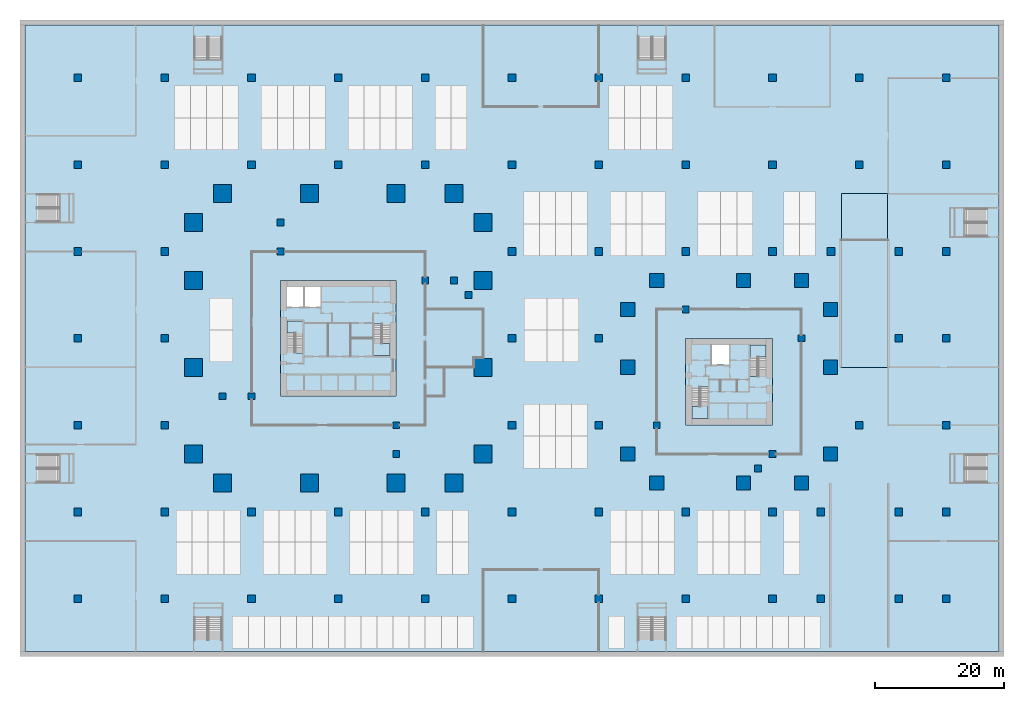
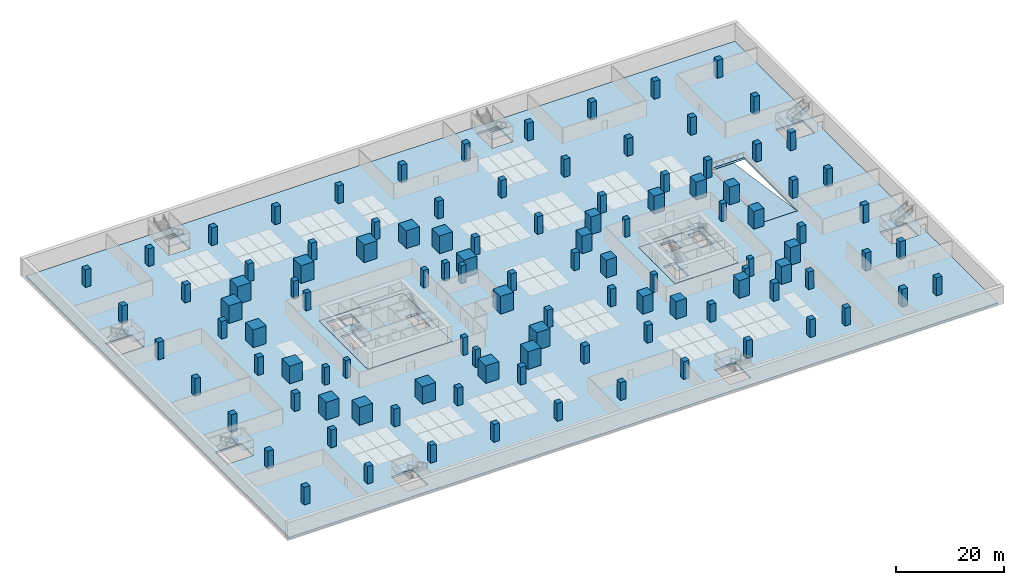
# One storey, part 1 of 31: 109 columns, 16 slabs, 12 elements without a shape of their own.
"""IFC4 building model written with IfcOpenShell, lengths in metres."""

from ifc_helpers import new_model, si_unit, direction, frame, origin, origin_2d, place, context, subcontext, project, spatial, polyline, rectangle, outline, extrude, material, layer, layer_set, material_profile, profile_set, type_object, element, aggregate, save


model = new_model("IFC4")

# Units and contexts
model_context = context("Model", 3, precision=1e-05, world=origin(), true_north=direction((0.0, 1.0)))
body_context = subcontext(model_context, "Body", "Model", "MODEL_VIEW")
ifc_project = project(units=[si_unit("LENGTHUNIT", "METRE"), si_unit("AREAUNIT", "SQUARE_METRE"), si_unit("VOLUMEUNIT", "CUBIC_METRE"), si_unit("PLANEANGLEUNIT", "RADIAN"), si_unit("MASSUNIT", "GRAM", prefix="KILO")], contexts=[model_context])

# Site, building, storey
site_placement = place(None, origin())
site = spatial("IfcSite", under=ifc_project, at=site_placement, CompositionType="ELEMENT")
building_placement = place(site_placement, origin())
building = spatial("IfcBuilding", under=site, at=building_placement, Name="Altepetl Exchange Towers", CompositionType="ELEMENT")
storey_placement = place(building_placement, frame((0.0, 0.0, -4.0)))
storey = spatial("IfcBuildingStorey", under=building, at=storey_placement, Name="B1 Basement services", CompositionType="ELEMENT", Elevation=-4.0)

# Columns
ifc_material_1 = material(Name="Concrete C70/85", Category="concrete")
ifc_material_profile_1 = material_profile(ifc_material_1, rectangle(XDim=1.050048828125, YDim=1.050048828125, at=origin_2d()), Name="1050 x 1050")
ifc_profile_set_1 = profile_set([ifc_material_profile_1], Name="Concrete C70/85")
column_type_1 = type_object("IfcColumnType", Name="Interior column 1050", PredefinedType="COLUMN", material=ifc_profile_set_1)
for number, where, name in (
    (1, (31.5, 40.5, 0.0), "col:A:B1:040"),
    (2, (36.0, 40.5, 0.0), "col:A:B1:041"),
    (3, (40.5, 63.0, 0.0), "col:A:B1:042"),
    (4, (40.5, 67.5, 0.0), "col:A:B1:043"),
    (5, (58.5, 31.5, 0.0), "col:A:B1:044"),
    (6, (58.5, 36.0, 0.0), "col:A:B1:045"),
    (7, (63.0, 58.5, 0.0), "col:A:B1:046"),
    (8, (67.5, 58.5, 0.0), "col:A:B1:047"),
    (9, (69.75, 56.25, 0.0), "col:A:B1:048"),
    (10, (99.0, 36.0, 0.0), "col:B:B1:028"),
    (11, (103.5, 54.0, 0.0), "col:B:B1:029"),
    (12, (114.75, 29.25, 0.0), "col:B:B1:030"),
    (13, (117.0, 31.5, 0.0), "col:B:B1:031"),
    (14, (121.5, 49.5, 0.0), "col:B:B1:032"),
):
    element("IfcColumn", number, at=place(storey_placement, frame(where)), inside=storey, type_object=column_type_1, Name=name, PredefinedType="COLUMN", context=body_context, shape_type="SweptSolid", body=[
        extrude(rectangle(XDim=1.050048828125, YDim=1.050048828125, at=origin_2d()), origin(), (0.0, 0.0, 1.0), 4.0),
    ])
ifc_material_profile_2 = material_profile(ifc_material_1, rectangle(XDim=2.199951171875, YDim=2.199951171875, at=origin_2d()), Name="2200 x 2200")
ifc_profile_set_2 = profile_set([ifc_material_profile_2], Name="Concrete C70/85")
column_type_2 = type_object("IfcColumnType", Name="Mega-column 2200", PredefinedType="COLUMN", material=ifc_profile_set_2)
for number, where, name in (
    (15, (94.5, 31.5, 0.0), "col:B:B1:m00"),
    (16, (94.5, 45.0, 0.0), "col:B:B1:m01"),
    (17, (94.5, 54.0, 0.0), "col:B:B1:m02"),
    (18, (99.0, 27.0, 0.0), "col:B:B1:m03"),
    (19, (99.0, 58.5, 0.0), "col:B:B1:m04"),
    (20, (112.5, 27.0, 0.0), "col:B:B1:m05"),
    (21, (112.5, 58.5, 0.0), "col:B:B1:m06"),
    (22, (121.5, 27.0, 0.0), "col:B:B1:m07"),
    (23, (121.5, 58.5, 0.0), "col:B:B1:m08"),
    (24, (126.0, 31.5, 0.0), "col:B:B1:m09"),
    (25, (126.0, 45.0, 0.0), "col:B:B1:m10"),
    (26, (126.0, 54.0, 0.0), "col:B:B1:m11"),
):
    element("IfcColumn", number, at=place(storey_placement, frame(where)), inside=storey, type_object=column_type_2, Name=name, PredefinedType="COLUMN", context=body_context, shape_type="SweptSolid", body=[
        extrude(rectangle(XDim=2.199951171875, YDim=2.199951171875, at=origin_2d()), origin(), (0.0, 0.0, 1.0), 4.0),
    ])
ifc_material_profile_3 = material_profile(ifc_material_1, rectangle(XDim=2.800048828125, YDim=2.800048828125, at=origin_2d()), Name="2800 x 2800")
ifc_profile_set_3 = profile_set([ifc_material_profile_3], Name="Concrete C70/85")
column_type_3 = type_object("IfcColumnType", Name="Mega-column 2800", PredefinedType="COLUMN", material=ifc_profile_set_3)
for number, where, name in (
    (27, (27.0, 31.5, 0.0), "col:A:B1:m00"),
    (28, (27.0, 45.0, 0.0), "col:A:B1:m01"),
    (29, (27.0, 58.5, 0.0), "col:A:B1:m02"),
    (30, (27.0, 67.5, 0.0), "col:A:B1:m03"),
    (31, (31.5, 27.0, 0.0), "col:A:B1:m04"),
    (32, (31.5, 72.0, 0.0), "col:A:B1:m05"),
    (33, (45.0, 27.0, 0.0), "col:A:B1:m06"),
    (34, (45.0, 72.0, 0.0), "col:A:B1:m07"),
    (35, (58.5, 27.0, 0.0), "col:A:B1:m08"),
    (36, (58.5, 72.0, 0.0), "col:A:B1:m09"),
    (37, (67.5, 27.0, 0.0), "col:A:B1:m10"),
    (38, (67.5, 72.0, 0.0), "col:A:B1:m11"),
    (39, (72.0, 31.5, 0.0), "col:A:B1:m12"),
    (40, (72.0, 45.0, 0.0), "col:A:B1:m13"),
    (41, (72.0, 58.5, 0.0), "col:A:B1:m14"),
    (42, (72.0, 67.5, 0.0), "col:A:B1:m15"),
):
    element("IfcColumn", number, at=place(storey_placement, frame(where)), inside=storey, type_object=column_type_3, Name=name, PredefinedType="COLUMN", context=body_context, shape_type="SweptSolid", body=[
        extrude(rectangle(XDim=2.800048828125, YDim=2.800048828125, at=origin_2d()), origin(), (0.0, 0.0, 1.0), 4.0),
    ])
ifc_material_profile_4 = material_profile(ifc_material_1, rectangle(XDim=1.199951171875, YDim=1.199951171875, at=origin_2d()), Name="1200 x 1200")
ifc_profile_set_4 = profile_set([ifc_material_profile_4], Name="Concrete C70/85")
column_type_4 = type_object("IfcColumnType", Name="Podium column 1200", PredefinedType="COLUMN", material=ifc_profile_set_4)
for number, where, name in (
    (43, (9.0, 9.0, 0.0), "col:P:B1:000"),
    (44, (9.0, 22.5, 0.0), "col:P:B1:001"),
    (45, (9.0, 36.0, 0.0), "col:P:B1:002"),
    (46, (9.0, 49.5, 0.0), "col:P:B1:003"),
    (47, (9.0, 63.0, 0.0), "col:P:B1:004"),
    (48, (9.0, 76.5, 0.0), "col:P:B1:005"),
    (49, (9.0, 90.0, 0.0), "col:P:B1:006"),
    (50, (22.5, 9.0, 0.0), "col:P:B1:007"),
    (51, (22.5, 22.5, 0.0), "col:P:B1:008"),
    (52, (22.5, 36.0, 0.0), "col:P:B1:009"),
    (53, (22.5, 49.5, 0.0), "col:P:B1:010"),
    (54, (22.5, 63.0, 0.0), "col:P:B1:011"),
    (55, (22.5, 76.5, 0.0), "col:P:B1:012"),
    (56, (22.5, 90.0, 0.0), "col:P:B1:013"),
    (57, (36.0, 9.0, 0.0), "col:P:B1:014"),
    (58, (36.0, 22.5, 0.0), "col:P:B1:015"),
    (59, (36.0, 76.5, 0.0), "col:P:B1:016"),
    (60, (36.0, 90.0, 0.0), "col:P:B1:017"),
    (61, (49.5, 9.0, 0.0), "col:P:B1:018"),
    (62, (49.5, 22.5, 0.0), "col:P:B1:019"),
    (63, (49.5, 76.5, 0.0), "col:P:B1:020"),
    (64, (49.5, 90.0, 0.0), "col:P:B1:021"),
    (65, (63.0, 9.0, 0.0), "col:P:B1:022"),
    (66, (63.0, 22.5, 0.0), "col:P:B1:023"),
    (67, (63.0, 76.5, 0.0), "col:P:B1:024"),
    (68, (63.0, 90.0, 0.0), "col:P:B1:025"),
    (69, (76.5, 9.0, 0.0), "col:P:B1:026"),
    (70, (76.5, 22.5, 0.0), "col:P:B1:027"),
    (71, (76.5, 36.0, 0.0), "col:P:B1:028"),
    (72, (76.5, 49.5, 0.0), "col:P:B1:029"),
    (73, (76.5, 63.0, 0.0), "col:P:B1:030"),
    (74, (76.5, 76.5, 0.0), "col:P:B1:031"),
    (75, (76.5, 90.0, 0.0), "col:P:B1:032"),
    (76, (90.0, 9.0, 0.0), "col:P:B1:033"),
    (77, (90.0, 22.5, 0.0), "col:P:B1:034"),
    (78, (90.0, 36.0, 0.0), "col:P:B1:035"),
    (79, (90.0, 49.5, 0.0), "col:P:B1:036"),
    (80, (90.0, 63.0, 0.0), "col:P:B1:037"),
    (81, (90.0, 76.5, 0.0), "col:P:B1:038"),
    (82, (90.0, 90.0, 0.0), "col:P:B1:039"),
    (83, (103.5, 9.0, 0.0), "col:P:B1:040"),
    (84, (103.5, 22.5, 0.0), "col:P:B1:041"),
    (85, (103.5, 63.0, 0.0), "col:P:B1:042"),
    (86, (103.5, 76.5, 0.0), "col:P:B1:043"),
    (87, (103.5, 90.0, 0.0), "col:P:B1:044"),
    (88, (117.0, 9.0, 0.0), "col:P:B1:045"),
    (89, (117.0, 22.5, 0.0), "col:P:B1:046"),
    (90, (117.0, 63.0, 0.0), "col:P:B1:047"),
    (91, (117.0, 76.5, 0.0), "col:P:B1:048"),
    (92, (117.0, 90.0, 0.0), "col:P:B1:049"),
    (93, (124.5, 9.0, 0.0), "col:P:B1:050"),
    (94, (124.5, 22.5, 0.0), "col:P:B1:051"),
    (95, (126.10009765625, 63.0, 0.0), "col:P:B1:052"),
    (96, (130.5, 36.0, 0.0), "col:P:B1:053"),
    (97, (130.5, 76.5, 0.0), "col:P:B1:054"),
    (98, (130.5, 90.0, 0.0), "col:P:B1:055"),
    (99, (136.64990234375, 9.0, 0.0), "col:P:B1:056"),
    (100, (136.64990234375, 22.5, 0.0), "col:P:B1:057"),
    (101, (136.64990234375, 49.5, 0.0), "col:P:B1:058"),
    (102, (136.64990234375, 63.0, 0.0), "col:P:B1:059"),
    (103, (144.0, 9.0, 0.0), "col:P:B1:060"),
    (104, (144.0, 22.5, 0.0), "col:P:B1:061"),
    (105, (144.0, 36.0, 0.0), "col:P:B1:062"),
    (106, (144.0, 49.5, 0.0), "col:P:B1:063"),
    (107, (144.0, 63.0, 0.0), "col:P:B1:064"),
    (108, (144.0, 76.5, 0.0), "col:P:B1:065"),
    (109, (144.0, 90.0, 0.0), "col:P:B1:066"),
):
    element("IfcColumn", number, at=place(storey_placement, frame(where)), inside=storey, type_object=column_type_4, Name=name, PredefinedType="COLUMN", context=body_context, shape_type="SweptSolid", body=[
        extrude(rectangle(XDim=1.199951171875, YDim=1.199951171875, at=origin_2d()), origin(), (0.0, 0.0, 1.0), 4.0),
    ])

# Slabs
ifc_material_2 = material(Name="Concrete C40/50", Category="concrete")
ifc_layer_1 = layer(ifc_material_2, 0.5)
ifc_layer_set_1 = layer_set([ifc_layer_1], Name="Concrete C40/50")
slab_type_1 = type_object("IfcSlabType", Name="Core floor slab 500", PredefinedType="FLOOR", material=ifc_layer_set_1)
slab_1_placement = place(storey_placement, frame((0.0, 0.0, -0.5)))
element("IfcSlab", 110, at=slab_1_placement, inside=storey, type_object=slab_type_1, Name="slab:A:B1:core0", PredefinedType="FLOOR", context=body_context, shape_type="SweptSolid", body=[
    extrude(outline(polyline([(40.5, 40.5), (58.5, 40.5), (58.5, 58.5), (40.5, 58.5), (40.5, 40.5)]), holes=[polyline([(55.0, 46.800048828125), (55.0, 51.7490234375), (56.300048828125, 51.7490234375), (56.300048828125, 51.64990234375), (57.5, 51.64990234375), (57.5, 46.800048828125), (55.0, 46.800048828125)]), polyline([(44.0, 52.199951171875), (44.0, 47.2509765625), (42.699951171875, 47.2509765625), (42.699951171875, 47.35009765625), (41.5, 47.35009765625), (41.5, 52.199951171875), (44.0, 52.199951171875)]), polyline([(41.5, 54.39990234375), (41.5, 57.5), (44.06689453125, 57.5), (44.06689453125, 54.39990234375), (41.5, 54.39990234375)]), polyline([(44.26708984375, 54.39990234375), (44.26708984375, 57.5), (46.73291015625, 57.5), (46.73291015625, 54.39990234375), (44.26708984375, 54.39990234375)])]), origin(), (0.0, 0.0, 1.0), 0.5),
])
slab_2_placement = place(storey_placement, frame((0.0, 0.0, -0.5)))
element("IfcSlab", 111, at=slab_2_placement, inside=storey, type_object=slab_type_1, Name="slab:B:B1:core0", PredefinedType="FLOOR", context=body_context, shape_type="SweptSolid", body=[
    extrude(outline(polyline([(103.5, 36.0), (117.0, 36.0), (117.0, 49.5), (103.5, 49.5), (103.5, 36.0)]), holes=[polyline([(107.0, 41.948974609375), (107.0, 37.0), (104.5, 37.0), (104.5, 41.85009765625), (105.699951171875, 41.85009765625), (105.699951171875, 41.948974609375), (107.0, 41.948974609375)]), polyline([(113.5, 48.5), (116.0, 48.5), (116.0, 43.64990234375), (114.800048828125, 43.64990234375), (114.800048828125, 43.551025390625), (113.5, 43.551025390625), (113.5, 48.5)]), polyline([(107.532958984375, 45.39990234375), (107.532958984375, 48.5), (110.26708984375, 48.5), (110.26708984375, 45.39990234375), (107.532958984375, 45.39990234375)])]), origin(), (0.0, 0.0, 1.0), 0.5),
])
ifc_layer_2 = layer(ifc_material_2, 0.449951171875)
ifc_layer_set_2 = layer_set([ifc_layer_2], Name="Concrete C40/50")
slab_type_2 = type_object("IfcSlabType", Name="Podium flat slab 450", PredefinedType="FLOOR", material=ifc_layer_set_2)
slab_3_placement = place(storey_placement, frame((0.0, 0.0, -0.449951171875)))
element("IfcSlab", 112, at=slab_3_placement, inside=storey, type_object=slab_type_2, Name="slab:P:B1:flat0", PredefinedType="FLOOR", context=body_context, shape_type="SweptSolid", body=[
    extrude(outline(polyline([(0.800048828125, 98.199951171875), (0.800048828125, 0.800048828125), (152.199951171875, 0.800048828125), (152.199951171875, 98.199951171875), (0.800048828125, 98.199951171875)]), holes=[polyline([(117.0, 49.5), (117.0, 36.0), (103.5, 36.0), (103.5, 49.5), (117.0, 49.5)]), polyline([(58.5, 58.5), (58.5, 40.5), (40.5, 40.5), (40.5, 58.5), (58.5, 58.5)]), polyline([(135.0, 64.800048828125), (135.0, 45.0), (127.60009765625, 45.0), (127.60009765625, 64.800048828125), (135.0, 64.800048828125)]), polyline([(31.5, 8.300048828125), (31.5, 2.699951171875), (27.0, 2.699951171875), (27.0, 8.300048828125), (31.5, 8.300048828125)]), polyline([(100.5, 2.699951171875), (96.0, 2.699951171875), (96.0, 8.300048828125), (100.5, 8.300048828125), (100.5, 2.699951171875)]), polyline([(2.699951171875, 31.5), (8.300048828125, 31.5), (8.300048828125, 27.0), (2.699951171875, 27.0), (2.699951171875, 31.5)]), polyline([(8.300048828125, 72.0), (8.300048828125, 67.5), (2.699951171875, 67.5), (2.699951171875, 72.0), (8.300048828125, 72.0)]), polyline([(27.0, 90.699951171875), (27.0, 96.300048828125), (31.5, 96.300048828125), (31.5, 90.699951171875), (27.0, 90.699951171875)]), polyline([(96.0, 96.300048828125), (100.5, 96.300048828125), (100.5, 90.699951171875), (96.0, 90.699951171875), (96.0, 96.300048828125)]), polyline([(150.300048828125, 27.0), (144.60009765625, 27.0), (144.60009765625, 31.5), (150.300048828125, 31.5), (150.300048828125, 27.0)]), polyline([(144.60009765625, 65.25), (144.60009765625, 69.75), (150.300048828125, 69.75), (150.300048828125, 65.25), (144.60009765625, 65.25)])]), origin(), (0.0, 0.0, 1.0), 0.449951171875),
])

# Stair, slab
ifc_material_3 = material(Name="Reinforced concrete C35/45", Category="concrete")
stair_type_1 = type_object("IfcStairType", Name="Exit half-turn stair 2025", PredefinedType="HALF_TURN_STAIR", material=ifc_material_3)
stair_1_placement = place(storey_placement, origin())
stair_1 = element("IfcStair", 113, at=stair_1_placement, inside=storey, type_object=stair_type_1, Name="ST-P1 stair", PredefinedType="HALF_TURN_STAIR")
ifc_layer_3 = layer(ifc_material_3, 0.199951171875)
ifc_layer_set_3 = layer_set([ifc_layer_3], Name="Reinforced concrete C35/45")
slab_type_3 = type_object("IfcSlabType", Name="Stair landing 200", PredefinedType="LANDING", material=ifc_layer_set_3)
slab_4_placement = place(storey_placement, frame((0.0, 0.0, 1.800048828125)))
slab_4 = element("IfcSlab", 114, at=slab_4_placement, type_object=slab_type_3, Name="ST-P1 landing 1", PredefinedType="LANDING", context=body_context, shape_type="SweptSolid", body=[
    extrude(outline(polyline([(27.0, 6.1201171875), (31.5, 6.1201171875), (31.5, 8.300048828125), (27.0, 8.300048828125), (27.0, 6.1201171875)])), origin(), (0.0, 0.0, 1.0), 0.199951171875),
])
aggregate(stair_1, [slab_4])

stair_2_placement = place(storey_placement, origin())
stair_2 = element("IfcStair", 115, at=stair_2_placement, inside=storey, type_object=stair_type_1, Name="ST-P2 stair", PredefinedType="HALF_TURN_STAIR")
slab_5_placement = place(storey_placement, frame((0.0, 0.0, 1.800048828125)))
slab_5 = element("IfcSlab", 116, at=slab_5_placement, type_object=slab_type_3, Name="ST-P2 landing 1", PredefinedType="LANDING", context=body_context, shape_type="SweptSolid", body=[
    extrude(outline(polyline([(96.0, 6.1201171875), (100.5, 6.1201171875), (100.5, 8.300048828125), (96.0, 8.300048828125), (96.0, 6.1201171875)])), origin(), (0.0, 0.0, 1.0), 0.199951171875),
])
aggregate(stair_2, [slab_5])

stair_3_placement = place(storey_placement, origin())
stair_3 = element("IfcStair", 117, at=stair_3_placement, inside=storey, type_object=stair_type_1, Name="ST-P3 stair", PredefinedType="HALF_TURN_STAIR")
slab_6_placement = place(storey_placement, frame((0.0, 0.0, 1.800048828125)))
slab_6 = element("IfcSlab", 118, at=slab_6_placement, type_object=slab_type_3, Name="ST-P3 landing 1", PredefinedType="LANDING", context=body_context, shape_type="SweptSolid", body=[
    extrude(outline(polyline([(6.1201171875, 31.5), (6.1201171875, 27.0), (8.300048828125, 27.0), (8.300048828125, 31.5), (6.1201171875, 31.5)])), origin(), (0.0, 0.0, 1.0), 0.199951171875),
])
aggregate(stair_3, [slab_6])

stair_4_placement = place(storey_placement, origin())
stair_4 = element("IfcStair", 119, at=stair_4_placement, inside=storey, type_object=stair_type_1, Name="ST-P4 stair", PredefinedType="HALF_TURN_STAIR")
slab_7_placement = place(storey_placement, frame((0.0, 0.0, 1.800048828125)))
slab_7 = element("IfcSlab", 120, at=slab_7_placement, type_object=slab_type_3, Name="ST-P4 landing 1", PredefinedType="LANDING", context=body_context, shape_type="SweptSolid", body=[
    extrude(outline(polyline([(6.1201171875, 72.0), (6.1201171875, 67.5), (8.300048828125, 67.5), (8.300048828125, 72.0), (6.1201171875, 72.0)])), origin(), (0.0, 0.0, 1.0), 0.199951171875),
])
aggregate(stair_4, [slab_7])

stair_5_placement = place(storey_placement, origin())
stair_5 = element("IfcStair", 121, at=stair_5_placement, inside=storey, type_object=stair_type_1, Name="ST-P5 stair", PredefinedType="HALF_TURN_STAIR")
slab_8_placement = place(storey_placement, frame((0.0, 0.0, 1.800048828125)))
slab_8 = element("IfcSlab", 122, at=slab_8_placement, type_object=slab_type_3, Name="ST-P5 landing 1", PredefinedType="LANDING", context=body_context, shape_type="SweptSolid", body=[
    extrude(outline(polyline([(31.5, 92.8798828125), (27.0, 92.8798828125), (27.0, 90.699951171875), (31.5, 90.699951171875), (31.5, 92.8798828125)])), origin(), (0.0, 0.0, 1.0), 0.199951171875),
])
aggregate(stair_5, [slab_8])

stair_6_placement = place(storey_placement, origin())
stair_6 = element("IfcStair", 123, at=stair_6_placement, inside=storey, type_object=stair_type_1, Name="ST-P6 stair", PredefinedType="HALF_TURN_STAIR")
slab_9_placement = place(storey_placement, frame((0.0, 0.0, 1.800048828125)))
slab_9 = element("IfcSlab", 124, at=slab_9_placement, type_object=slab_type_3, Name="ST-P6 landing 1", PredefinedType="LANDING", context=body_context, shape_type="SweptSolid", body=[
    extrude(outline(polyline([(100.5, 92.8798828125), (96.0, 92.8798828125), (96.0, 90.699951171875), (100.5, 90.699951171875), (100.5, 92.8798828125)])), origin(), (0.0, 0.0, 1.0), 0.199951171875),
])
aggregate(stair_6, [slab_9])

stair_7_placement = place(storey_placement, origin())
stair_7 = element("IfcStair", 125, at=stair_7_placement, inside=storey, type_object=stair_type_1, Name="ST-P7 stair", PredefinedType="HALF_TURN_STAIR")
slab_10_placement = place(storey_placement, frame((0.0, 0.0, 1.800048828125)))
slab_10 = element("IfcSlab", 126, at=slab_10_placement, type_object=slab_type_3, Name="ST-P7 landing 1", PredefinedType="LANDING", context=body_context, shape_type="SweptSolid", body=[
    extrude(outline(polyline([(146.8798828125, 27.0), (146.8798828125, 31.5), (144.60009765625, 31.5), (144.60009765625, 27.0), (146.8798828125, 27.0)])), origin(), (0.0, 0.0, 1.0), 0.199951171875),
])
aggregate(stair_7, [slab_10])

stair_8_placement = place(storey_placement, origin())
stair_8 = element("IfcStair", 127, at=stair_8_placement, inside=storey, type_object=stair_type_1, Name="ST-P8 stair", PredefinedType="HALF_TURN_STAIR")
slab_11_placement = place(storey_placement, frame((0.0, 0.0, 1.800048828125)))
slab_11 = element("IfcSlab", 128, at=slab_11_placement, type_object=slab_type_3, Name="ST-P8 landing 1", PredefinedType="LANDING", context=body_context, shape_type="SweptSolid", body=[
    extrude(outline(polyline([(146.8798828125, 65.25), (146.8798828125, 69.75), (144.60009765625, 69.75), (144.60009765625, 65.25), (146.8798828125, 65.25)])), origin(), (0.0, 0.0, 1.0), 0.199951171875),
])
aggregate(stair_8, [slab_11])

stair_type_2 = type_object("IfcStairType", Name="Exit stair 1200 flights dogleg", PredefinedType="HALF_TURN_STAIR", material=ifc_material_2)
stair_9_placement = place(storey_placement, origin())
stair_9 = element("IfcStair", 129, at=stair_9_placement, inside=storey, type_object=stair_type_2, Name="Exit stair 1", PredefinedType="HALF_TURN_STAIR")
ifc_layer_4 = layer(ifc_material_2, 0.199951171875)
ifc_layer_set_4 = layer_set([ifc_layer_4], Name="Concrete C40/50")
slab_type_4 = type_object("IfcSlabType", Name="Stair landing 200 reinforced concrete", PredefinedType="LANDING", material=ifc_layer_set_4)
slab_12_placement = place(storey_placement, frame((0.0, 0.0, 1.800048828125)))
slab_12 = element("IfcSlab", 130, at=slab_12_placement, type_object=slab_type_4, Name="ST-A1a landing 1", PredefinedType="LANDING", context=body_context, shape_type="SweptSolid", body=[
    extrude(outline(polyline([(44.0, 50.22998046875), (42.800048828125, 50.22998046875), (42.800048828125, 50.330078125), (42.699951171875, 50.330078125), (42.699951171875, 50.329345703125), (41.5, 50.329345703125), (41.5, 50.330078125), (41.5, 52.199951171875), (44.0, 52.199951171875), (44.0, 50.330078125), (44.0, 50.22998046875)])), origin(), (0.0, 0.0, 1.0), 0.199951171875),
])
aggregate(stair_9, [slab_12])

stair_10_placement = place(storey_placement, origin())
stair_10 = element("IfcStair", 131, at=stair_10_placement, inside=storey, type_object=stair_type_2, Name="Exit stair 2", PredefinedType="HALF_TURN_STAIR")
slab_13_placement = place(storey_placement, frame((0.0, 0.0, 1.800048828125)))
slab_13 = element("IfcSlab", 132, at=slab_13_placement, type_object=slab_type_4, Name="ST-A2a landing 1", PredefinedType="LANDING", context=body_context, shape_type="SweptSolid", body=[
    extrude(outline(polyline([(57.5, 46.800048828125), (55.0, 46.800048828125), (55.0, 48.669921875), (55.0, 48.77001953125), (56.199951171875, 48.77001953125), (56.199951171875, 48.669921875), (56.300048828125, 48.669921875), (56.300048828125, 48.670654296875), (57.5, 48.670654296875), (57.5, 48.669921875), (57.5, 46.800048828125)])), origin(), (0.0, 0.0, 1.0), 0.199951171875),
])
aggregate(stair_10, [slab_13])

stair_11_placement = place(storey_placement, origin())
stair_11 = element("IfcStair", 133, at=stair_11_placement, inside=storey, type_object=stair_type_2, Name="Exit stair 1", PredefinedType="HALF_TURN_STAIR")
slab_14_placement = place(storey_placement, frame((0.0, 0.0, 1.800048828125)))
slab_14 = element("IfcSlab", 134, at=slab_14_placement, type_object=slab_type_4, Name="ST-B1a landing 1", PredefinedType="LANDING", context=body_context, shape_type="SweptSolid", body=[
    extrude(outline(polyline([(107.0, 37.0), (104.5, 37.0), (104.5, 38.8701171875), (104.5, 38.87060546875), (105.699951171875, 38.87060546875), (105.699951171875, 38.8701171875), (105.800048828125, 38.8701171875), (105.800048828125, 38.969970703125), (107.0, 38.969970703125), (107.0, 38.8701171875), (107.0, 37.0)])), origin(), (0.0, 0.0, 1.0), 0.199951171875),
])
aggregate(stair_11, [slab_14])

stair_12_placement = place(storey_placement, origin())
stair_12 = element("IfcStair", 135, at=stair_12_placement, inside=storey, type_object=stair_type_2, Name="Exit stair 2", PredefinedType="HALF_TURN_STAIR")
slab_15_placement = place(storey_placement, frame((0.0, 0.0, 1.800048828125)))
slab_15 = element("IfcSlab", 136, at=slab_15_placement, type_object=slab_type_4, Name="ST-B2a landing 1", PredefinedType="LANDING", context=body_context, shape_type="SweptSolid", body=[
    extrude(outline(polyline([(114.699951171875, 46.530029296875), (113.5, 46.530029296875), (113.5, 46.6298828125), (113.5, 48.5), (116.0, 48.5), (116.0, 46.6298828125), (116.0, 46.62939453125), (114.800048828125, 46.62939453125), (114.800048828125, 46.6298828125), (114.699951171875, 46.6298828125), (114.699951171875, 46.530029296875)])), origin(), (0.0, 0.0, 1.0), 0.199951171875),
])
aggregate(stair_12, [slab_15])

# Slab
ifc_layer_5 = layer(ifc_material_3, 0.39990234375)
ifc_layer_set_5 = layer_set([ifc_layer_5], Name="Reinforced concrete C35/45")
slab_type_5 = type_object("IfcSlabType", Name="Vehicle ramp slab 400", PredefinedType="USERDEFINED", material=ifc_layer_set_5)
slab_16_placement = place(storey_placement, frame((127.75, 45.0, 0.0), z_axis=(0.0, 0.146548661089, 0.989203462354), x_axis=(1.0, 0.0, 0.0)))
element("IfcSlab", 137, at=slab_16_placement, inside=storey, type_object=slab_type_5, Name="RP2 vehicle ramp", ObjectType="VEHICLE RAMP SLAB", PredefinedType="USERDEFINED", context=body_context, shape_type="SweptSolid", body=[
    extrude(outline(polyline([(0.0, 0.0), (7.10009765625, 0.0), (7.10009765625, 27.294688127912366), (0.0, 27.294688127912366), (0.0, 0.0)])), origin(), (0.0, 0.0, -1.0), 0.39990234375),
])

save(model, "model.ifc")
